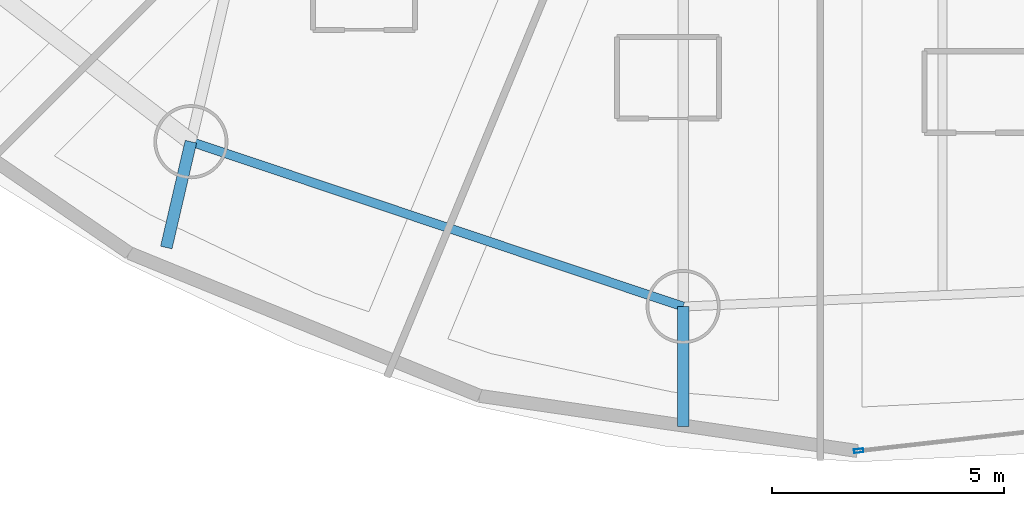
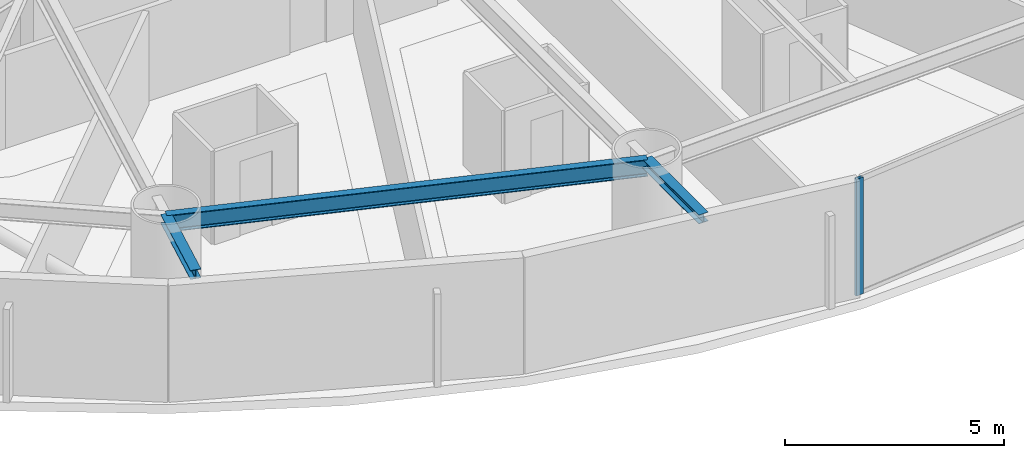
# One storey, part 3 of 27: 3 beams, 1 member, 1 element without a shape of its own.
"""IFC4 building model written with IfcOpenShell, lengths in metres."""

from ifc_helpers import new_model, si_unit, direction, frame, origin, origin_2d, place, context, subcontext, project, spatial, hollow_rectangle, i_section, extrude, material, layer, layer_set, material_profile, profile_set, type_object, element, aggregate, save


model = new_model("IFC4")

# Units and contexts
model_context = context("Model", 3, precision=1e-05, world=origin(), true_north=direction((0.0, 1.0)))
body_context = subcontext(model_context, "Body", "Model", "MODEL_VIEW")
ifc_project = project(units=[si_unit("LENGTHUNIT", "METRE"), si_unit("AREAUNIT", "SQUARE_METRE"), si_unit("VOLUMEUNIT", "CUBIC_METRE"), si_unit("PLANEANGLEUNIT", "RADIAN"), si_unit("MASSUNIT", "GRAM", prefix="KILO")], contexts=[model_context])

# Site, building, storey
site_placement = place(None, origin())
site = spatial("IfcSite", under=ifc_project, at=site_placement, CompositionType="ELEMENT")
building_placement = place(site_placement, origin())
building = spatial("IfcBuilding", under=site, at=building_placement, Name="Bramvorn Convention Spire", CompositionType="ELEMENT")
storey_placement = place(building_placement, frame((0.0, 0.0, 41.39990234375)))
storey = spatial("IfcBuildingStorey", under=building, at=storey_placement, Name="L07", CompositionType="ELEMENT", Elevation=41.39990234375)

# Beams
ifc_material_1 = material(Name="Steel CSA G40.21 Grade 350 (350W)", Category="steel")
ifc_material_profile_1 = material_profile(ifc_material_1, i_section(OverallWidth=0.25390625, OverallDepth=0.2529296875, WebThickness=0.008544921875, FlangeThickness=0.01416015625, FilletRadius=0.011962890625, at=origin_2d()))
ifc_profile_set_1 = profile_set([ifc_material_profile_1], Name="Steel CSA G40.21 Grade 350 (350W) - W250X73")
beam_type_1 = type_object("IfcBeamType", Name="BM-W250X73", PredefinedType="BEAM", material=ifc_profile_set_1)
beam_1_placement = place(storey_placement, frame((24.40966796875, 8.490966796875, 3.12353515625), z_axis=(-0.226584679372, -0.973991469713, 0.0), x_axis=(0.973991469713, -0.226584679372, 0.0)))
element("IfcBeam", 1, at=beam_1_placement, inside=storey, type_object=beam_type_1, Name="L07 slab-edge cantilever tip beam MC12", PredefinedType="BEAM", context=body_context, shape_type="SweptSolid", body=[
    extrude(i_section(OverallWidth=0.25390625, OverallDepth=0.2529296875, WebThickness=0.008544921875, FlangeThickness=0.01416015625, FilletRadius=0.011962890625, at=origin_2d()), origin(), (0.0, 0.0, 1.0), 2.345703125),
])
beam_2_placement = place(storey_placement, frame((35.0390625, 4.93115234375, 3.12353515625), z_axis=(0.0, -1.0, 0.0), x_axis=(1.0, 0.0, 0.0)))
element("IfcBeam", 2, at=beam_2_placement, inside=storey, type_object=beam_type_1, Name="L07 slab-edge cantilever tip beam MC13", PredefinedType="BEAM", context=body_context, shape_type="SweptSolid", body=[
    extrude(i_section(OverallWidth=0.25390625, OverallDepth=0.2529296875, WebThickness=0.008544921875, FlangeThickness=0.01416015625, FilletRadius=0.011962890625, at=origin_2d()), origin(), (0.0, 0.0, 1.0), 2.5859375),
])
ifc_material_profile_2 = material_profile(ifc_material_1, i_section(OverallWidth=0.194091796875, OverallDepth=0.468994140625, WebThickness=0.0126953125, FlangeThickness=0.0205078125, FilletRadius=0.01806640625, at=origin_2d()))
ifc_profile_set_2 = profile_set([ifc_material_profile_2], Name="Steel CSA G40.21 Grade 350 (350W) - W460X106")
beam_type_2 = type_object("IfcBeamType", Name="BM-W460X106", PredefinedType="SPANDREL", material=ifc_profile_set_2)
beam_3_placement = place(storey_placement, frame((24.40966796875, 8.490966796875, 3.015625), z_axis=(0.948235872727, -0.317566890078, 0.0), x_axis=(0.317566890078, 0.948235872727, 0.0)))
element("IfcBeam", 3, at=beam_3_placement, inside=storey, type_object=beam_type_2, Name="L07 mega-column ring beam 12", PredefinedType="SPANDREL", context=body_context, shape_type="SweptSolid", body=[
    extrude(i_section(OverallWidth=0.194091796875, OverallDepth=0.468994140625, WebThickness=0.0126953125, FlangeThickness=0.0205078125, FilletRadius=0.01806640625, at=origin_2d()), origin(), (0.0, 0.0, 1.0), 11.209716796875),
])

# Curtain wall, member
ifc_material_2 = material(Name="Anodised Bronze Unitised Curtain Wall", Category="aluminium")
ifc_layer = layer(ifc_material_2, 0.179931640625)
ifc_layer_set = layer_set([ifc_layer], Name="Anodised Bronze Unitised Curtain Wall - CW-HTL-FRIT")
curtain_wall_type = type_object("IfcCurtainWallType", Name="CW-HTL-FRIT", PredefinedType="USERDEFINED", material=ifc_layer_set)
curtain_wall_placement = place(storey_placement, origin())
curtain_wall = element("IfcCurtainWall", 4, at=curtain_wall_placement, inside=storey, type_object=curtain_wall_type, Name="L07 fritted glass curtain wall 19", ObjectType="UNITISED CURTAIN WALL", PredefinedType="USERDEFINED")
ifc_material_3 = material(Name="Anodised Bronze Aluminium 6063-T6", Category="aluminium")
ifc_material_profile_3 = material_profile(ifc_material_3, hollow_rectangle(XDim=0.080078125, YDim=0.199951171875, WallThickness=0.00390625, InnerFilletRadius=0.0009765625, OuterFilletRadius=0.00390625, at=origin_2d()))
ifc_profile_set_3 = profile_set([ifc_material_profile_3], Name="Anodised Bronze Aluminium 6063-T6 - CWM80X200")
member_type = type_object("IfcMemberType", Name="CW-MUL-180", PredefinedType="MULLION", material=ifc_profile_set_3)
member_placement = place(storey_placement, frame((38.828857421875, 1.81640625, 0.0), z_axis=(0.0, 0.0, 1.0), x_axis=(0.111583433445, -0.993755069109, 0.0)))
member = element("IfcMember", 5, at=member_placement, type_object=member_type, Name="CW2 mullion 2", PredefinedType="MULLION", context=body_context, shape_type="SweptSolid", body=[
    extrude(hollow_rectangle(XDim=0.080078125, YDim=0.199951171875, WallThickness=0.00390625, InnerFilletRadius=0.0009765625, OuterFilletRadius=0.00390625, at=origin_2d()), origin(), (0.0, 0.0, 1.0), 3.25),
])
aggregate(curtain_wall, [member])

save(model, "model.ifc")
